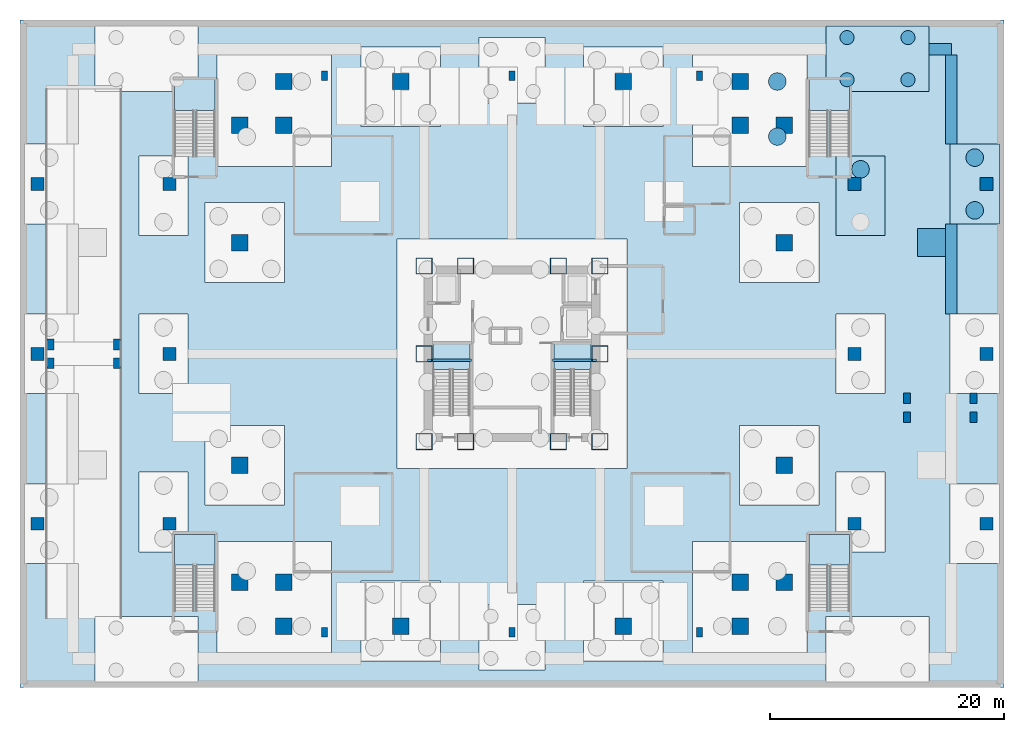
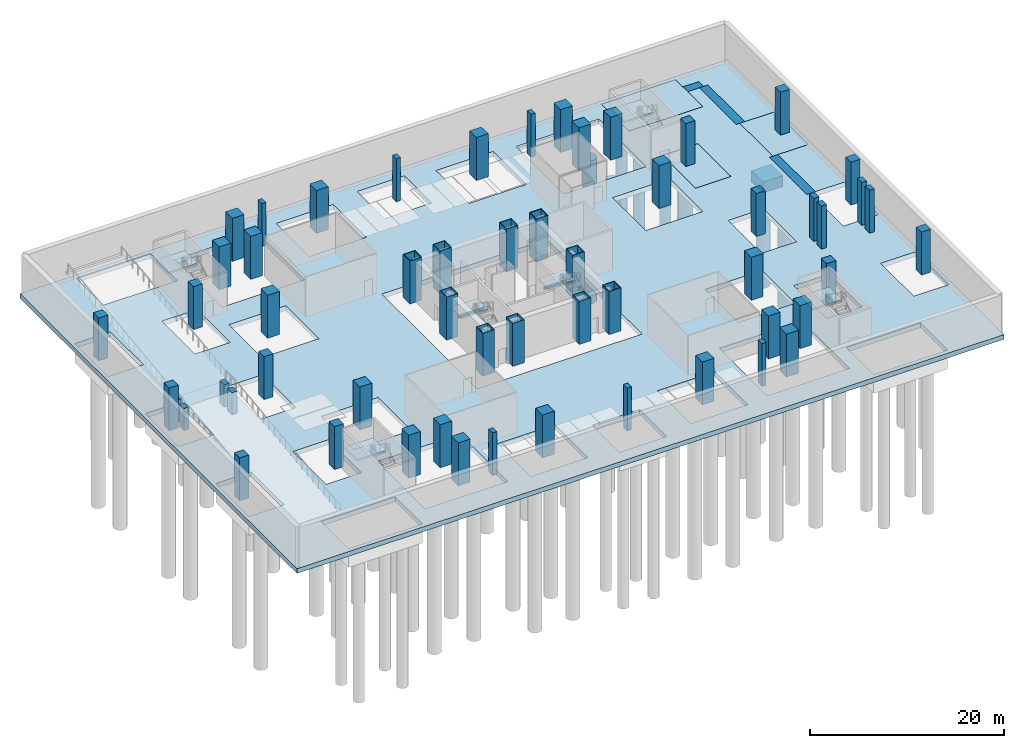
# One storey, part 2 of 16: 56 columns, 9 piles, 7 footings, 7 slabs, 2 beams, 6 elements without a shape of their own.
"""IFC4 building model written with IfcOpenShell, lengths in metres."""

from ifc_helpers import new_model, si_unit, direction, frame, origin, origin_2d, place, context, subcontext, project, spatial, polyline, rectangle, hollow_rectangle, circle, i_section, outline, extrude, material, layer, layer_set, material_profile, profile_set, type_object, element, aggregate, save


model = new_model("IFC4")

# Units and contexts
model_context = context("Model", 3, precision=1e-05, world=origin(), true_north=direction((0.0, 1.0)))
body_context = subcontext(model_context, "Body", "Model", "MODEL_VIEW")
ifc_project = project(units=[si_unit("LENGTHUNIT", "METRE"), si_unit("AREAUNIT", "SQUARE_METRE"), si_unit("VOLUMEUNIT", "CUBIC_METRE"), si_unit("PLANEANGLEUNIT", "RADIAN"), si_unit("MASSUNIT", "GRAM", prefix="KILO")], contexts=[model_context])

# Site, building, storey
site_placement = place(None, origin())
site = spatial("IfcSite", under=ifc_project, at=site_placement, CompositionType="ELEMENT")
building_placement = place(site_placement, origin())
building = spatial("IfcBuilding", under=site, at=building_placement, Name="Trevonay Congress Spire", CompositionType="ELEMENT")
storey_placement = place(building_placement, frame((0.0, 0.0, -10.800048828125)))
storey = spatial("IfcBuildingStorey", under=building, at=storey_placement, Name="B2", CompositionType="ELEMENT", Elevation=-10.800048828125)

# Footings
ifc_material_1 = material(Name="Concrete C50/60", Category="concrete")
footing_type_1 = type_object("IfcFootingType", Name="FTG-GRADE-STRIP", PredefinedType="STRIP_FOOTING", material=ifc_material_1)
footing_1_placement = place(storey_placement, frame((36.550048828125, 26.0, -1.19970703125), z_axis=(0.0, 0.0, 1.0), x_axis=(1.0, 0.0, 0.0)))
element("IfcFooting", 1, at=footing_1_placement, inside=storey, type_object=footing_type_1, Name="Reinforced concrete grade tie strip footing GB01 (GB-PERIM-N-6)", PredefinedType="STRIP_FOOTING", context=body_context, shape_type="SweptSolid", body=[
    extrude(rectangle(XDim=1.89990234375, YDim=1.0, at=origin_2d()), origin(), (0.0, 0.0, 1.0), 1.199951171875),
])
footing_2_placement = place(storey_placement, frame((37.5, 7.25, -1.19970703125), z_axis=(0.0, 0.0, 1.0), x_axis=(0.0, 1.0, 0.0)))
element("IfcFooting", 2, at=footing_2_placement, inside=storey, type_object=footing_type_1, Name="Reinforced concrete grade tie strip footing GB01 (GB-PERIM-E-3)", PredefinedType="STRIP_FOOTING", context=body_context, shape_type="SweptSolid", body=[
    extrude(rectangle(XDim=7.699951171875, YDim=1.0, at=origin_2d()), origin(), (0.0, 0.0, 1.0), 1.199951171875),
])
footing_3_placement = place(storey_placement, frame((37.5, 21.699951171875, -1.19970703125), z_axis=(0.0, 0.0, 1.0), x_axis=(0.0, 1.0, 0.0)))
element("IfcFooting", 3, at=footing_3_placement, inside=storey, type_object=footing_type_1, Name="Reinforced concrete grade tie strip footing GB01 (GB-PERIM-E-4)", PredefinedType="STRIP_FOOTING", context=body_context, shape_type="SweptSolid", body=[
    extrude(rectangle(XDim=7.60009765625, YDim=1.0, at=origin_2d()), origin(), (0.0, 0.0, 1.0), 1.199951171875),
])
footing_type_2 = type_object("IfcFootingType", Name="FTG-POD-NSCAP", PredefinedType="PILE_CAP", material=ifc_material_1)
for number, where, z_axis, x_axis, name in (
    (4, (39.5, 14.5, -2.39990234375), (0.0, 0.0, 1.0), (1.0, 0.0, 0.0), "Reinforced concrete pile cap FC06 (FTG-B2-EXE-3)"),
    (5, (29.75, 13.5, -2.39990234375), (0.0, 0.0, 1.0), (1.0, 0.0, 0.0), "Reinforced concrete pile cap FC06 (FTG-B2-PE-3)"),
):
    element("IfcFooting", number, at=place(storey_placement, frame(where, z_axis=z_axis, x_axis=x_axis)), inside=storey, type_object=footing_type_2, Name=name, PredefinedType="PILE_CAP", context=body_context, shape_type="SweptSolid", body=[
        extrude(rectangle(XDim=4.199951171875, YDim=6.800048828125, at=origin_2d()), origin(), (0.0, 0.0, 1.0), 2.39990234375),
    ])
footing_type_3 = type_object("IfcFootingType", Name="FTG-POD-RECTCAP", PredefinedType="PILE_CAP", material=ifc_material_1)
footing_4_placement = place(storey_placement, frame((31.199951171875, 25.199951171875, -2.39990234375), z_axis=(0.0, 0.0, 1.0), x_axis=(1.0, 0.0, 0.0)))
element("IfcFooting", 6, at=footing_4_placement, inside=storey, type_object=footing_type_3, Name="Reinforced concrete pile cap FC04 (FTG-B2-OUT-ENE)", PredefinedType="PILE_CAP", context=body_context, shape_type="SweptSolid", body=[
    extrude(rectangle(XDim=8.800048828125, YDim=5.60009765625, at=origin_2d()), origin(), (0.0, 0.0, 1.0), 2.39990234375),
])
footing_type_4 = type_object("IfcFootingType", Name="FTG-RAMP-PAD", PredefinedType="PAD_FOOTING", material=ifc_material_1)
footing_5_placement = place(storey_placement, frame((35.800048828125, 9.5, -2.0), z_axis=(0.0, 0.0, 1.0), x_axis=(1.0, 0.0, 0.0)))
element("IfcFooting", 7, at=footing_5_placement, inside=storey, type_object=footing_type_4, Name="Equipment and ramp foundation pad PF-08", PredefinedType="PAD_FOOTING", context=body_context, shape_type="SweptSolid", body=[
    extrude(rectangle(XDim=2.39990234375, YDim=2.39990234375, at=origin_2d()), origin(), (0.0, 0.0, 1.0), 1.39990234375),
])

# Piles
ifc_material_profile_1 = material_profile(ifc_material_1, circle(Radius=0.60009765625, at=origin_2d()), Name="PILE D1200")
ifc_profile_set_1 = profile_set([ifc_material_profile_1], Name="Concrete C50/60")
pile_type_1 = type_object("IfcPileType", Name="PILE-BORED-D1200", PredefinedType="BORED", material=ifc_profile_set_1)
for number, where, z_axis, x_axis, name in (
    (8, (28.60009765625, 23.39990234375, -2.25), (0.0, 0.0, -1.0), (1.0, 0.0, 0.0), "Rock-socketed bored pile 1 under FTG-B2-OUT-ENE"),
    (9, (33.800048828125, 23.39990234375, -2.25), (0.0, 0.0, -1.0), (1.0, 0.0, 0.0), "Rock-socketed bored pile 2 under FTG-B2-OUT-ENE"),
    (10, (28.60009765625, 27.0, -2.25), (0.0, 0.0, -1.0), (1.0, 0.0, 0.0), "Rock-socketed bored pile 3 under FTG-B2-OUT-ENE"),
    (11, (33.800048828125, 27.0, -2.25), (0.0, 0.0, -1.0), (1.0, 0.0, 0.0), "Rock-socketed bored pile 4 under FTG-B2-OUT-ENE"),
):
    element("IfcPile", number, at=place(storey_placement, frame(where, z_axis=z_axis, x_axis=x_axis)), inside=storey, type_object=pile_type_1, Name=name, PredefinedType="BORED", context=body_context, shape_type="SweptSolid", body=[
        extrude(circle(Radius=0.60009765625, at=origin_2d()), origin(), (0.0, 0.0, 1.0), 18.0),
    ])
ifc_material_profile_2 = material_profile(ifc_material_1, circle(Radius=0.75, at=origin_2d()), Name="PILE D1500")
ifc_profile_set_2 = profile_set([ifc_material_profile_2], Name="Concrete C50/60")
pile_type_2 = type_object("IfcPileType", Name="PILE-BORED-D1500", PredefinedType="BORED", material=ifc_profile_set_2)
for number, where, z_axis, x_axis, name in (
    (12, (22.64990234375, 18.550048828125, -2.25), (0.0, 0.0, -1.0), (1.0, 0.0, 0.0), "Rock-socketed bored pile 2 under FTG-B2-CRN-NE"),
    (13, (22.64990234375, 23.25, -2.25), (0.0, 0.0, -1.0), (1.0, 0.0, 0.0), "Rock-socketed bored pile 3 under FTG-B2-CRN-NE"),
    (14, (39.5, 12.25, -2.25), (0.0, 0.0, -1.0), (1.0, 0.0, 0.0), "Rock-socketed bored pile 1 under FTG-B2-EXE-3"),
    (15, (39.5, 16.75, -2.25), (0.0, 0.0, -1.0), (1.0, 0.0, 0.0), "Rock-socketed bored pile 2 under FTG-B2-EXE-3"),
    (16, (29.75, 15.75, -2.25), (0.0, 0.0, -1.0), (1.0, 0.0, 0.0), "Rock-socketed bored pile 2 under FTG-B2-PE-3"),
):
    element("IfcPile", number, at=place(storey_placement, frame(where, z_axis=z_axis, x_axis=x_axis)), inside=storey, type_object=pile_type_2, Name=name, PredefinedType="BORED", context=body_context, shape_type="SweptSolid", body=[
        extrude(circle(Radius=0.75, at=origin_2d()), origin(), (0.0, 0.0, 1.0), 18.0),
    ])

# Columns
ifc_material_2 = material(Name="Steel ASTM A572 Grade 50", Category="steel")
ifc_material_profile_3 = material_profile(ifc_material_2, hollow_rectangle(XDim=1.39990234375, YDim=1.39990234375, WallThickness=0.06005859375, at=origin_2d()), Name="BOX 1400x1400x60")
ifc_profile_set_3 = profile_set([ifc_material_profile_3], Name="Steel ASTM A572 Grade 50")
column_type_1 = type_object("IfcColumnType", Name="COL-CORE-BOX1400", PredefinedType="COLUMN", material=ifc_profile_set_3)
for number, where, z_axis, x_axis, name in (
    (17, (-7.5, -7.5, 0.0), (0.0, 0.0, 1.0), (1.0, 0.0, 0.0), "B2 column C01 at CC-SW"),
    (18, (-3.949951171875, -7.5, 0.0), (0.0, 0.0, 1.0), (1.0, 0.0, 0.0), "B2 column C01 at CC-SMW"),
    (19, (3.949951171875, -7.5, 0.0), (0.0, 0.0, 1.0), (1.0, 0.0, 0.0), "B2 column C01 at CC-SME"),
    (20, (7.5, -7.5, 0.0), (0.0, 0.0, 1.0), (1.0, 0.0, 0.0), "B2 column C01 at CC-SE"),
    (21, (7.5, 0.0, 0.0), (0.0, 0.0, 1.0), (1.0, 0.0, 0.0), "B2 column C01 at CC-E"),
    (22, (7.5, 7.5, 0.0), (0.0, 0.0, 1.0), (1.0, 0.0, 0.0), "B2 column C01 at CC-NE"),
    (23, (3.949951171875, 7.5, 0.0), (0.0, 0.0, 1.0), (1.0, 0.0, 0.0), "B2 column C01 at CC-NME"),
    (24, (-3.949951171875, 7.5, 0.0), (0.0, 0.0, 1.0), (1.0, 0.0, 0.0), "B2 column C01 at CC-NMW"),
    (25, (-7.5, 7.5, 0.0), (0.0, 0.0, 1.0), (1.0, 0.0, 0.0), "B2 column C01 at CC-NW"),
    (26, (-7.5, 0.0, 0.0), (0.0, 0.0, 1.0), (1.0, 0.0, 0.0), "B2 column C01 at CC-W"),
):
    element("IfcColumn", number, at=place(storey_placement, frame(where, z_axis=z_axis, x_axis=x_axis)), inside=storey, type_object=column_type_1, Name=name, PredefinedType="COLUMN", context=body_context, shape_type="SweptSolid", body=[
        extrude(hollow_rectangle(XDim=1.39990234375, YDim=1.39990234375, WallThickness=0.06005859375, at=origin_2d()), origin(), (0.0, 0.0, 1.0), 5.400146484375),
    ])
ifc_material_3 = material(Name="Concrete C60/75", Category="concrete")
ifc_material_profile_4 = material_profile(ifc_material_3, rectangle(XDim=1.39990234375, YDim=1.39990234375, at=origin_2d()), Name="RC 1400x1400")
ifc_profile_set_4 = profile_set([ifc_material_profile_4], Name="Concrete C60/75")
column_type_2 = type_object("IfcColumnType", Name="COL-MEGA-RC1400", PredefinedType="COLUMN", material=ifc_profile_set_4)
for number, where, z_axis, x_axis, name in (
    (27, (-19.5, -23.25, 0.0), (0.0, 0.0, 1.0), (1.0, 0.0, 0.0), "B2 column C06 at TM-S1"),
    (28, (-9.5, -23.25, 0.0), (0.0, 0.0, 1.0), (1.0, 0.0, 0.0), "B2 column C06 at TM-S2"),
    (29, (9.5, -23.25, 0.0), (0.0, 0.0, 1.0), (1.0, 0.0, 0.0), "B2 column C06 at TM-S5"),
    (30, (19.5, -23.25, 0.0), (0.0, 0.0, 1.0), (1.0, 0.0, 0.0), "B2 column C06 at TM-S6"),
    (31, (-19.5, 23.25, 0.0), (0.0, 0.0, 1.0), (1.0, 0.0, 0.0), "B2 column C06 at TM-N1"),
    (32, (-9.5, 23.25, 0.0), (0.0, 0.0, 1.0), (1.0, 0.0, 0.0), "B2 column C06 at TM-N2"),
    (33, (9.5, 23.25, 0.0), (0.0, 0.0, 1.0), (1.0, 0.0, 0.0), "B2 column C06 at TM-N5"),
    (34, (19.5, 23.25, 0.0), (0.0, 0.0, 1.0), (1.0, 0.0, 0.0), "B2 column C06 at TM-N6"),
    (35, (-23.25, -19.5, 0.0), (0.0, 0.0, 1.0), (1.0, 0.0, 0.0), "B2 column C06 at TM-W1"),
    (36, (-23.25, -9.5, 0.0), (0.0, 0.0, 1.0), (1.0, 0.0, 0.0), "B2 column C06 at TM-W2"),
    (37, (-23.25, 9.5, 0.0), (0.0, 0.0, 1.0), (1.0, 0.0, 0.0), "B2 column C06 at TM-W5"),
    (38, (-23.25, 19.5, 0.0), (0.0, 0.0, 1.0), (1.0, 0.0, 0.0), "B2 column C06 at TM-W6"),
    (39, (23.25, -19.5, 0.0), (0.0, 0.0, 1.0), (1.0, 0.0, 0.0), "B2 column C06 at TM-E1"),
    (40, (23.25, -9.5, 0.0), (0.0, 0.0, 1.0), (1.0, 0.0, 0.0), "B2 column C06 at TM-E2"),
    (41, (23.25, 9.5, 0.0), (0.0, 0.0, 1.0), (1.0, 0.0, 0.0), "B2 column C06 at TM-E5"),
    (42, (23.25, 19.5, 0.0), (0.0, 0.0, 1.0), (1.0, 0.0, 0.0), "B2 column C06 at TM-E6"),
    (43, (-19.5, -19.5, 0.0), (0.0, 0.0, 1.0), (1.0, 0.0, 0.0), "B2 column C06 at TM-CSW"),
    (44, (19.5, -19.5, 0.0), (0.0, 0.0, 1.0), (1.0, 0.0, 0.0), "B2 column C06 at TM-CSE"),
    (45, (19.5, 19.5, 0.0), (0.0, 0.0, 1.0), (1.0, 0.0, 0.0), "B2 column C06 at TM-CNE"),
    (46, (-19.5, 19.5, 0.0), (0.0, 0.0, 1.0), (1.0, 0.0, 0.0), "B2 column C06 at TM-CNW"),
):
    element("IfcColumn", number, at=place(storey_placement, frame(where, z_axis=z_axis, x_axis=x_axis)), inside=storey, type_object=column_type_2, Name=name, PredefinedType="COLUMN", context=body_context, shape_type="SweptSolid", body=[
        extrude(rectangle(XDim=1.39990234375, YDim=1.39990234375, at=origin_2d()), origin(), (0.0, 0.0, 1.0), 5.400146484375),
    ])
ifc_material_profile_5 = material_profile(ifc_material_3, rectangle(XDim=0.5, YDim=0.800048828125, at=origin_2d()), Name="RC 800x500")
ifc_profile_set_5 = profile_set([ifc_material_profile_5], Name="Concrete C60/75")
column_type_3 = type_object("IfcColumnType", Name="COL-PIL-RC800X500", PredefinedType="PILASTER", material=ifc_profile_set_5)
for number, where, z_axis, x_axis, name in (
    (47, (-16.0, -23.75, 0.0), (0.0, 0.0, 1.0), (1.0, 0.0, 0.0), "B2 column C13 at PS-1"),
    (48, (0.0, -23.75, 0.0), (0.0, 0.0, 1.0), (1.0, 0.0, 0.0), "B2 column C13 at PS-2"),
    (49, (16.0, -23.75, 0.0), (0.0, 0.0, 1.0), (1.0, 0.0, 0.0), "B2 column C13 at PS-3"),
    (50, (-16.0, 23.75, 0.0), (0.0, 0.0, 1.0), (1.0, 0.0, 0.0), "B2 column C13 at PN-1"),
    (51, (0.0, 23.75, 0.0), (0.0, 0.0, 1.0), (1.0, 0.0, 0.0), "B2 column C13 at PN-2"),
    (52, (16.0, 23.75, 0.0), (0.0, 0.0, 1.0), (1.0, 0.0, 0.0), "B2 column C13 at PN-3"),
):
    element("IfcColumn", number, at=place(storey_placement, frame(where, z_axis=z_axis, x_axis=x_axis)), inside=storey, type_object=column_type_3, Name=name, PredefinedType="PILASTER", context=body_context, shape_type="SweptSolid", body=[
        extrude(rectangle(XDim=0.5, YDim=0.800048828125, at=origin_2d()), origin(), (0.0, 0.0, 1.0), 5.400146484375),
    ])
ifc_material_profile_6 = material_profile(ifc_material_3, rectangle(XDim=1.10009765625, YDim=1.10009765625, at=origin_2d()), Name="RC 1100x1100")
ifc_profile_set_6 = profile_set([ifc_material_profile_6], Name="Concrete C60/75")
column_type_4 = type_object("IfcColumnType", Name="COL-POD-RC1100", PredefinedType="COLUMN", material=ifc_profile_set_6)
for number, where, z_axis, x_axis, name in (
    (53, (-29.25, -14.5, 0.0), (0.0, 0.0, 1.0), (1.0, 0.0, 0.0), "B2 column C07 at PW-1"),
    (54, (-29.25, 0.0, 0.0), (0.0, 0.0, 1.0), (1.0, 0.0, 0.0), "B2 column C07 at PW-2"),
    (55, (-29.25, 14.5, 0.0), (0.0, 0.0, 1.0), (1.0, 0.0, 0.0), "B2 column C07 at PW-3"),
    (56, (29.25, -14.5, 0.0), (0.0, 0.0, 1.0), (1.0, 0.0, 0.0), "B2 column C07 at PE-1"),
    (57, (29.25, 0.0, 0.0), (0.0, 0.0, 1.0), (1.0, 0.0, 0.0), "B2 column C07 at PE-2"),
    (58, (29.25, 14.5, 0.0), (0.0, 0.0, 1.0), (1.0, 0.0, 0.0), "B2 column C07 at PE-3"),
    (59, (-40.5, -14.5, 0.0), (0.0, 0.0, 1.0), (1.0, 0.0, 0.0), "B2 column C07 at EXW-1"),
    (60, (-40.5, 0.0, 0.0), (0.0, 0.0, 1.0), (1.0, 0.0, 0.0), "B2 column C07 at EXW-2"),
    (61, (-40.5, 14.5, 0.0), (0.0, 0.0, 1.0), (1.0, 0.0, 0.0), "B2 column C07 at EXW-3"),
    (62, (40.5, -14.5, 0.0), (0.0, 0.0, 1.0), (1.0, 0.0, 0.0), "B2 column C07 at EXE-1"),
    (63, (40.5, 0.0, 0.0), (0.0, 0.0, 1.0), (1.0, 0.0, 0.0), "B2 column C07 at EXE-2"),
    (64, (40.5, 14.5, 0.0), (0.0, 0.0, 1.0), (1.0, 0.0, 0.0), "B2 column C07 at EXE-3"),
):
    element("IfcColumn", number, at=place(storey_placement, frame(where, z_axis=z_axis, x_axis=x_axis)), inside=storey, type_object=column_type_4, Name=name, PredefinedType="COLUMN", context=body_context, shape_type="SweptSolid", body=[
        extrude(rectangle(XDim=1.10009765625, YDim=1.10009765625, at=origin_2d()), origin(), (0.0, 0.0, 1.0), 5.400146484375),
    ])
ifc_material_profile_7 = material_profile(ifc_material_3, rectangle(XDim=0.60009765625, YDim=0.89990234375, at=origin_2d()), Name="RC 900x600")
ifc_profile_set_7 = profile_set([ifc_material_profile_7], Name="Concrete C60/75")
column_type_5 = type_object("IfcColumnType", Name="COL-RAMP-RC900X600", PredefinedType="COLUMN", material=ifc_profile_set_7)
for number, where, z_axis, x_axis, name in (
    (65, (-39.39990234375, -0.800048828125, 0.0), (0.0, 0.0, 1.0), (1.0, 0.0, 0.0), "Car park ramp RM01 landing support pier 1"),
    (66, (-33.699951171875, -0.800048828125, 0.0), (0.0, 0.0, 1.0), (1.0, 0.0, 0.0), "Car park ramp RM01 landing support pier 2"),
    (67, (-39.39990234375, 0.800048828125, 0.0), (0.0, 0.0, 1.0), (1.0, 0.0, 0.0), "Car park ramp RM01 landing support pier 3"),
    (68, (-33.699951171875, 0.800048828125, 0.0), (0.0, 0.0, 1.0), (1.0, 0.0, 0.0), "Car park ramp RM01 landing support pier 4"),
):
    element("IfcColumn", number, at=place(storey_placement, frame(where, z_axis=z_axis, x_axis=x_axis)), inside=storey, type_object=column_type_5, Name=name, PredefinedType="COLUMN", context=body_context, shape_type="SweptSolid", body=[
        extrude(rectangle(XDim=0.60009765625, YDim=0.89990234375, at=origin_2d()), origin(), (0.0, 0.0, 1.0), 2.77001953125),
    ])
for number, where, z_axis, x_axis, name in (
    (69, (33.699951171875, -3.800048828125, 0.0), (0.0, 0.0, 1.0), (1.0, 0.0, 0.0), "Car park ramp RM02 lower support pier 1"),
    (70, (39.39990234375, -3.800048828125, 0.0), (0.0, 0.0, 1.0), (1.0, 0.0, 0.0), "Car park ramp RM02 lower support pier 2"),
    (71, (33.699951171875, -5.39990234375, 0.0), (0.0, 0.0, 1.0), (1.0, 0.0, 0.0), "Car park ramp RM02 lower support pier 3"),
    (72, (39.39990234375, -5.39990234375, 0.0), (0.0, 0.0, 1.0), (1.0, 0.0, 0.0), "Car park ramp RM02 lower support pier 4"),
):
    element("IfcColumn", number, at=place(storey_placement, frame(where, z_axis=z_axis, x_axis=x_axis)), inside=storey, type_object=column_type_5, Name=name, PredefinedType="COLUMN", context=body_context, shape_type="SweptSolid", body=[
        extrude(rectangle(XDim=0.60009765625, YDim=0.89990234375, at=origin_2d()), origin(), (0.0, 0.0, 1.0), 5.400146484375),
    ])

# Beams
ifc_material_profile_8 = material_profile(ifc_material_2, i_section(OverallWidth=0.2041015625, OverallDepth=0.305908203125, WebThickness=0.008544921875, FlangeThickness=0.0146484375, FilletRadius=0.010986328125, at=origin_2d()), Name="W310x67")
ifc_profile_set_8 = profile_set([ifc_material_profile_8], Name="Steel ASTM A572 Grade 50")
beam_type = type_object("IfcBeamType", Name="LN-CORE-W310X67", PredefinedType="LINTEL", material=ifc_profile_set_8)
for number, where, z_axis, x_axis, name in (
    (73, (-7.199951171875, -0.550048828125, 2.34716796875), (1.0, 0.0, 0.0), (0.0, 1.0, 0.0), "B2 structural beam BM-B2-HL-ST1"),
    (74, (3.449951171875, -0.550048828125, 2.34716796875), (1.0, 0.0, 0.0), (0.0, 1.0, 0.0), "B2 structural beam BM-B2-HL-ST2"),
):
    element("IfcBeam", number, at=place(storey_placement, frame(where, z_axis=z_axis, x_axis=x_axis)), inside=storey, type_object=beam_type, Name=name, PredefinedType="LINTEL", context=body_context, shape_type="SweptSolid", body=[
        extrude(i_section(OverallWidth=0.2041015625, OverallDepth=0.305908203125, WebThickness=0.008544921875, FlangeThickness=0.0146484375, FilletRadius=0.010986328125, at=origin_2d()), origin(), (0.0, 0.0, 1.0), 3.75),
    ])

# Slab
ifc_layer_1 = layer(ifc_material_1, 0.60009765625, Name="Concrete C50/60")
ifc_layer_set_1 = layer_set([ifc_layer_1], Name="Concrete C50/60")
slab_type_1 = type_object("IfcSlabType", Name="SLB-RAFT-600", PredefinedType="BASESLAB", material=ifc_layer_set_1)
slab_1_placement = place(storey_placement, frame((0.0, 0.0, -0.599853515625)))
element("IfcSlab", 75, at=slab_1_placement, inside=storey, type_object=slab_type_1, Name="B2 structural base raft slab", PredefinedType="BASESLAB", context=body_context, shape_type="SweptSolid", body=[
    extrude(outline(polyline([(-42.0, -28.5), (42.0, -28.5), (42.0, 28.5), (-42.0, 28.5), (-42.0, -28.5)]), holes=[polyline([(-9.800048828125, -9.800048828125), (9.800048828125, -9.800048828125), (9.800048828125, 9.800048828125), (-9.800048828125, 9.800048828125), (-9.800048828125, -9.800048828125)]), polyline([(-12.89990234375, -26.199951171875), (-6.10009765625, -26.199951171875), (-6.10009765625, -19.39990234375), (-12.89990234375, -19.39990234375), (-12.89990234375, -26.199951171875)]), polyline([(6.10009765625, -26.199951171875), (12.89990234375, -26.199951171875), (12.89990234375, -19.39990234375), (6.10009765625, -19.39990234375), (6.10009765625, -26.199951171875)]), polyline([(-12.89990234375, 19.39990234375), (-6.10009765625, 19.39990234375), (-6.10009765625, 26.199951171875), (-12.89990234375, 26.199951171875), (-12.89990234375, 19.39990234375)]), polyline([(6.10009765625, 19.39990234375), (12.89990234375, 19.39990234375), (12.89990234375, 26.199951171875), (6.10009765625, 26.199951171875), (6.10009765625, 19.39990234375)]), polyline([(-26.199951171875, -12.89990234375), (-19.39990234375, -12.89990234375), (-19.39990234375, -6.10009765625), (-26.199951171875, -6.10009765625), (-26.199951171875, -12.89990234375)]), polyline([(-26.199951171875, 6.10009765625), (-19.39990234375, 6.10009765625), (-19.39990234375, 12.89990234375), (-26.199951171875, 12.89990234375), (-26.199951171875, 6.10009765625)]), polyline([(19.39990234375, -12.89990234375), (26.199951171875, -12.89990234375), (26.199951171875, -6.10009765625), (19.39990234375, -6.10009765625), (19.39990234375, -12.89990234375)]), polyline([(19.39990234375, 6.10009765625), (26.199951171875, 6.10009765625), (26.199951171875, 12.89990234375), (19.39990234375, 12.89990234375), (19.39990234375, 6.10009765625)]), polyline([(-25.199951171875, -25.800048828125), (-15.39990234375, -25.800048828125), (-15.39990234375, -16.0), (-25.199951171875, -16.0), (-25.199951171875, -25.800048828125)]), polyline([(15.39990234375, -25.800048828125), (25.199951171875, -25.800048828125), (25.199951171875, -16.0), (15.39990234375, -16.0), (15.39990234375, -25.800048828125)]), polyline([(15.39990234375, 16.0), (25.199951171875, 16.0), (25.199951171875, 25.800048828125), (15.39990234375, 25.800048828125), (15.39990234375, 16.0)]), polyline([(-25.199951171875, 16.0), (-15.39990234375, 16.0), (-15.39990234375, 25.800048828125), (-25.199951171875, 25.800048828125), (-25.199951171875, 16.0)]), polyline([(-2.800048828125, -27.0), (2.800048828125, -27.0), (2.800048828125, -21.39990234375), (-2.800048828125, -21.39990234375), (-2.800048828125, -27.0)]), polyline([(-2.800048828125, 21.39990234375), (2.800048828125, 21.39990234375), (2.800048828125, 27.0), (-2.800048828125, 27.0), (-2.800048828125, 21.39990234375)]), polyline([(-41.60009765625, -17.89990234375), (-37.39990234375, -17.89990234375), (-37.39990234375, -11.10009765625), (-41.60009765625, -11.10009765625), (-41.60009765625, -17.89990234375)]), polyline([(37.39990234375, -17.89990234375), (41.60009765625, -17.89990234375), (41.60009765625, -11.10009765625), (37.39990234375, -11.10009765625), (37.39990234375, -17.89990234375)]), polyline([(-41.60009765625, -3.39990234375), (-37.39990234375, -3.39990234375), (-37.39990234375, 3.39990234375), (-41.60009765625, 3.39990234375), (-41.60009765625, -3.39990234375)]), polyline([(37.39990234375, -3.39990234375), (41.60009765625, -3.39990234375), (41.60009765625, 3.39990234375), (37.39990234375, 3.39990234375), (37.39990234375, -3.39990234375)]), polyline([(-41.60009765625, 11.10009765625), (-37.39990234375, 11.10009765625), (-37.39990234375, 17.89990234375), (-41.60009765625, 17.89990234375), (-41.60009765625, 11.10009765625)]), polyline([(37.39990234375, 11.10009765625), (41.60009765625, 11.10009765625), (41.60009765625, 17.89990234375), (37.39990234375, 17.89990234375), (37.39990234375, 11.10009765625)]), polyline([(-31.85009765625, -16.89990234375), (-27.64990234375, -16.89990234375), (-27.64990234375, -10.10009765625), (-31.85009765625, -10.10009765625), (-31.85009765625, -16.89990234375)]), polyline([(-31.85009765625, -3.39990234375), (-27.64990234375, -3.39990234375), (-27.64990234375, 3.39990234375), (-31.85009765625, 3.39990234375), (-31.85009765625, -3.39990234375)]), polyline([(-31.85009765625, 10.10009765625), (-27.64990234375, 10.10009765625), (-27.64990234375, 16.89990234375), (-31.85009765625, 16.89990234375), (-31.85009765625, 10.10009765625)]), polyline([(27.64990234375, -16.89990234375), (31.85009765625, -16.89990234375), (31.85009765625, -10.10009765625), (27.64990234375, -10.10009765625), (27.64990234375, -16.89990234375)]), polyline([(27.64990234375, -3.39990234375), (31.85009765625, -3.39990234375), (31.85009765625, 3.39990234375), (27.64990234375, 3.39990234375), (27.64990234375, -3.39990234375)]), polyline([(27.64990234375, 10.10009765625), (31.85009765625, 10.10009765625), (31.85009765625, 16.89990234375), (27.64990234375, 16.89990234375), (27.64990234375, 10.10009765625)]), polyline([(-35.60009765625, -28.0), (-26.800048828125, -28.0), (-26.800048828125, -22.39990234375), (-35.60009765625, -22.39990234375), (-35.60009765625, -28.0)]), polyline([(-35.60009765625, 22.39990234375), (-26.800048828125, 22.39990234375), (-26.800048828125, 28.0), (-35.60009765625, 28.0), (-35.60009765625, 22.39990234375)]), polyline([(26.800048828125, 22.39990234375), (35.60009765625, 22.39990234375), (35.60009765625, 28.0), (26.800048828125, 28.0), (26.800048828125, 22.39990234375)]), polyline([(26.800048828125, -28.0), (35.60009765625, -28.0), (35.60009765625, -22.39990234375), (26.800048828125, -22.39990234375), (26.800048828125, -28.0)])]), origin(), (0.0, 0.0, 1.0), 0.599853515625),
])

# Stair, slab
ifc_material_4 = material(Name="Concrete C40/50", Category="concrete")
stair_type_1 = type_object("IfcStairType", Name="STR-ST-1", PredefinedType="HALF_TURN_STAIR", material=ifc_material_4)
stair_1_placement = place(storey_placement, origin())
stair_1 = element("IfcStair", 76, at=stair_1_placement, inside=storey, type_object=stair_type_1, Name="B2 Protected Exit Stair ST-1", PredefinedType="HALF_TURN_STAIR")
ifc_layer_2 = layer(ifc_material_4, 0.199951171875, Name="Concrete C40/50")
ifc_layer_set_2 = layer_set([ifc_layer_2], Name="Concrete C40/50")
slab_type_2 = type_object("IfcSlabType", Name="SLB-STAIR-LAND-200", PredefinedType="LANDING", material=ifc_layer_set_2)
slab_2_placement = place(storey_placement, frame((0.0, 0.0, 2.5)))
slab_2 = element("IfcSlab", 77, at=slab_2_placement, type_object=slab_type_2, Name="ST-1 landing 1", PredefinedType="LANDING", context=body_context, shape_type="SweptSolid", body=[
    extrude(outline(polyline([(-3.60009765625, -1.330078125), (-3.60009765625, 0.85009765625), (-6.75, 0.85009765625), (-6.75, -1.330078125), (-3.60009765625, -1.330078125)])), origin(), (0.0, 0.0, 1.0), 0.199951171875),
])
aggregate(stair_1, [slab_2])

stair_type_2 = type_object("IfcStairType", Name="STR-ST-2", PredefinedType="HALF_TURN_STAIR", material=ifc_material_4)
stair_2_placement = place(storey_placement, origin())
stair_2 = element("IfcStair", 78, at=stair_2_placement, inside=storey, type_object=stair_type_2, Name="B2 Protected Exit Stair ST-2", PredefinedType="HALF_TURN_STAIR")
slab_3_placement = place(storey_placement, frame((0.0, 0.0, 2.5)))
slab_3 = element("IfcSlab", 79, at=slab_3_placement, type_object=slab_type_2, Name="ST-2 landing 1", PredefinedType="LANDING", context=body_context, shape_type="SweptSolid", body=[
    extrude(outline(polyline([(6.75, -1.330078125), (6.75, 0.85009765625), (3.60009765625, 0.85009765625), (3.60009765625, -1.330078125), (6.75, -1.330078125)])), origin(), (0.0, 0.0, 1.0), 0.199951171875),
])
aggregate(stair_2, [slab_3])

stair_type_3 = type_object("IfcStairType", Name="STR-ST-3", PredefinedType="HALF_TURN_STAIR", material=ifc_material_4)
stair_3_placement = place(storey_placement, origin())
stair_3 = element("IfcStair", 80, at=stair_3_placement, inside=storey, type_object=stair_type_3, Name="B2 Protected Exit Stair ST-3", PredefinedType="HALF_TURN_STAIR")
slab_4_placement = place(storey_placement, frame((0.0, 0.0, 2.5)))
slab_4 = element("IfcSlab", 81, at=slab_4_placement, type_object=slab_type_2, Name="ST-3 landing 1", PredefinedType="LANDING", context=body_context, shape_type="SweptSolid", body=[
    extrude(outline(polyline([(-25.35009765625, -18.030029296875), (-25.35009765625, -15.39990234375), (-28.800048828125, -15.39990234375), (-28.800048828125, -18.030029296875), (-25.35009765625, -18.030029296875)])), origin(), (0.0, 0.0, 1.0), 0.199951171875),
])
aggregate(stair_3, [slab_4])

stair_type_4 = type_object("IfcStairType", Name="STR-ST-4", PredefinedType="HALF_TURN_STAIR", material=ifc_material_4)
stair_4_placement = place(storey_placement, origin())
stair_4 = element("IfcStair", 82, at=stair_4_placement, inside=storey, type_object=stair_type_4, Name="B2 Protected Exit Stair ST-4", PredefinedType="HALF_TURN_STAIR")
slab_5_placement = place(storey_placement, frame((0.0, 0.0, 2.5)))
slab_5 = element("IfcSlab", 83, at=slab_5_placement, type_object=slab_type_2, Name="ST-4 landing 1", PredefinedType="LANDING", context=body_context, shape_type="SweptSolid", body=[
    extrude(outline(polyline([(28.800048828125, -18.030029296875), (28.800048828125, -15.39990234375), (25.35009765625, -15.39990234375), (25.35009765625, -18.030029296875), (28.800048828125, -18.030029296875)])), origin(), (0.0, 0.0, 1.0), 0.199951171875),
])
aggregate(stair_4, [slab_5])

stair_type_5 = type_object("IfcStairType", Name="STR-ST-5", PredefinedType="HALF_TURN_STAIR", material=ifc_material_4)
stair_5_placement = place(storey_placement, origin())
stair_5 = element("IfcStair", 84, at=stair_5_placement, inside=storey, type_object=stair_type_5, Name="B2 Protected Exit Stair ST-5", PredefinedType="HALF_TURN_STAIR")
slab_6_placement = place(storey_placement, frame((0.0, 0.0, 2.5)))
slab_6 = element("IfcSlab", 85, at=slab_6_placement, type_object=slab_type_2, Name="ST-5 landing 1", PredefinedType="LANDING", context=body_context, shape_type="SweptSolid", body=[
    extrude(outline(polyline([(-25.35009765625, 20.77001953125), (-25.35009765625, 23.39990234375), (-28.800048828125, 23.39990234375), (-28.800048828125, 20.77001953125), (-25.35009765625, 20.77001953125)])), origin(), (0.0, 0.0, 1.0), 0.199951171875),
])
aggregate(stair_5, [slab_6])

stair_type_6 = type_object("IfcStairType", Name="STR-ST-6", PredefinedType="HALF_TURN_STAIR", material=ifc_material_4)
stair_6_placement = place(storey_placement, origin())
stair_6 = element("IfcStair", 86, at=stair_6_placement, inside=storey, type_object=stair_type_6, Name="B2 Protected Exit Stair ST-6", PredefinedType="HALF_TURN_STAIR")
slab_7_placement = place(storey_placement, frame((0.0, 0.0, 2.5)))
slab_7 = element("IfcSlab", 87, at=slab_7_placement, type_object=slab_type_2, Name="ST-6 landing 1", PredefinedType="LANDING", context=body_context, shape_type="SweptSolid", body=[
    extrude(outline(polyline([(28.800048828125, 20.77001953125), (28.800048828125, 23.39990234375), (25.35009765625, 23.39990234375), (25.35009765625, 20.77001953125), (28.800048828125, 20.77001953125)])), origin(), (0.0, 0.0, 1.0), 0.199951171875),
])
aggregate(stair_6, [slab_7])

save(model, "model.ifc")
